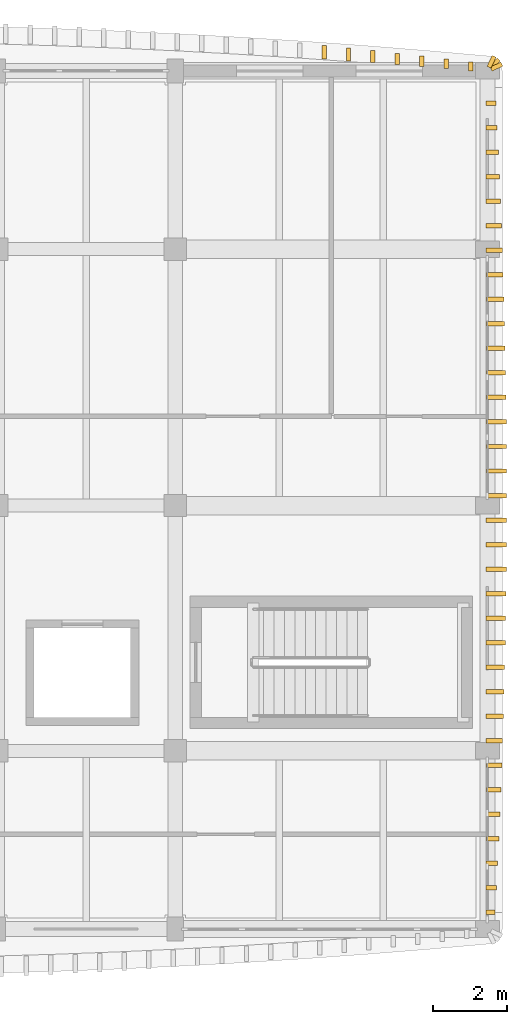
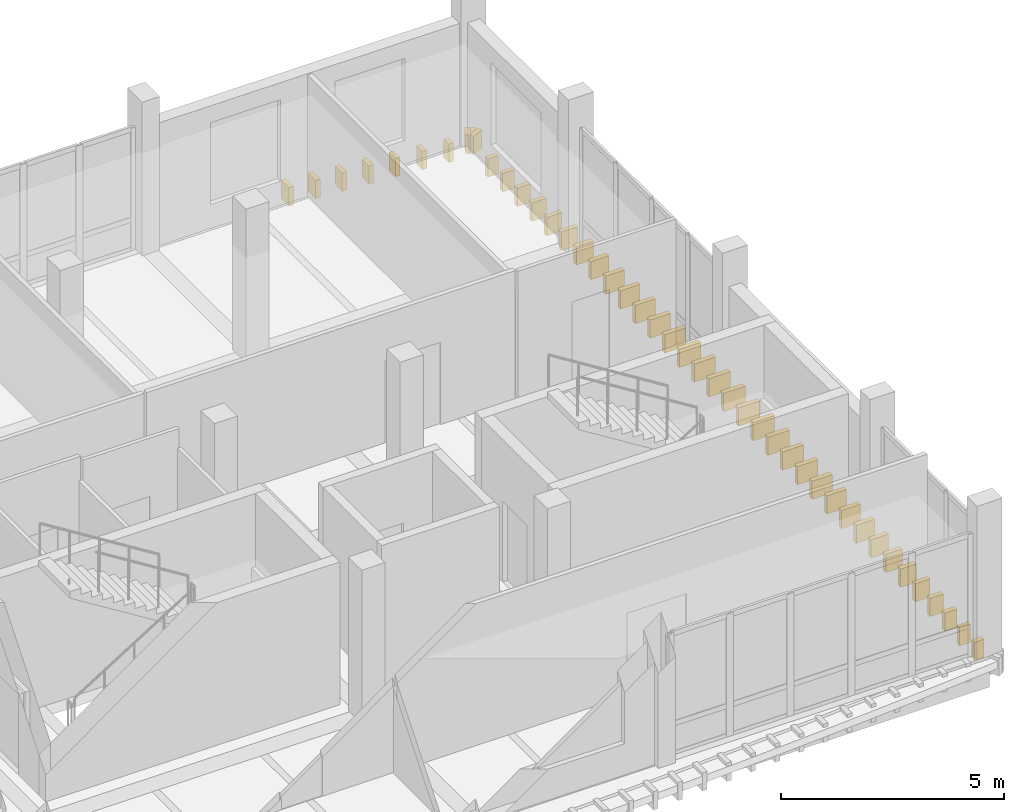
# One storey, part 16 of 16: 44 coverings.
"""IFC4 building model written with IfcOpenShell, lengths in metres."""

from ifc_helpers import new_model, si_unit, direction, frame, origin, origin_2d, place, context, subcontext, project, spatial, rectangle, extrude, material, layer, layer_set, type_object, element, save


model = new_model("IFC4")

# Units and contexts
model_context = context("Model", 3, precision=1e-05, world=origin(), true_north=direction((0.0, 1.0)))
body_context = subcontext(model_context, "Body", "Model", "MODEL_VIEW")
ifc_project = project(units=[si_unit("LENGTHUNIT", "METRE"), si_unit("AREAUNIT", "SQUARE_METRE"), si_unit("VOLUMEUNIT", "CUBIC_METRE"), si_unit("PLANEANGLEUNIT", "RADIAN"), si_unit("MASSUNIT", "GRAM", prefix="KILO")], contexts=[model_context])

# Site, building, storey
site_placement = place(None, origin())
site = spatial("IfcSite", under=ifc_project, at=site_placement, CompositionType="ELEMENT")
building_placement = place(site_placement, origin())
building = spatial("IfcBuilding", under=site, at=building_placement, Name="Dornvale Research Institute", CompositionType="ELEMENT")
storey_placement = place(building_placement, frame((0.0, 0.0, 42.60009765625)))
storey = spatial("IfcBuildingStorey", under=building, at=storey_placement, Name="L09", CompositionType="ELEMENT", Elevation=42.60009765625)

# Coverings
ifc_material = material(Name="Polychrome Glazed Terracotta Visor Rib Ceramic", Category="masonry")
ifc_layer = layer(ifc_material, 0.1201171875)
ifc_layer_set = layer_set([ifc_layer], Name="Polychrome Glazed Terracotta Visor Rib Ceramic")
covering_type = type_object("IfcCoveringType", Name="Covering_VisorBlade_Main", PredefinedType="CLADDING", material=ifc_layer_set)
covering_1_placement = place(storey_placement, frame((40.951904296875, 122.2177734375, -0.489990234375), z_axis=(0.0, 0.0, 1.0), x_axis=(0.0, 1.0, 0.0)))
element("IfcCovering", 1, at=covering_1_placement, inside=storey, type_object=covering_type, Name="L09 V5 canted glazed terracotta visor blade #1590", PredefinedType="CLADDING", context=body_context, shape_type="SweptSolid", body=[
    extrude(rectangle(XDim=0.236083984375, YDim=0.1201171875, at=origin_2d()), origin(), (0.0, 0.0, 1.0), 0.5),
])
covering_2_placement = place(storey_placement, frame((40.294189453125, 122.2880859375, -0.489990234375), z_axis=(0.0, 0.0, 1.0), x_axis=(0.0, 1.0, 0.0)))
element("IfcCovering", 2, at=covering_2_placement, inside=storey, type_object=covering_type, Name="L09 V5 canted glazed terracotta visor blade #1591", PredefinedType="CLADDING", context=body_context, shape_type="SweptSolid", body=[
    extrude(rectangle(XDim=0.260009765625, YDim=0.1201171875, at=origin_2d()), origin(), (0.0, 0.0, 1.0), 0.5),
])
covering_3_placement = place(storey_placement, frame((39.63671875, 122.35693359375, -0.489990234375), z_axis=(0.0, 0.0, 1.0), x_axis=(0.0, 1.0, 0.0)))
element("IfcCovering", 3, at=covering_3_placement, inside=storey, type_object=covering_type, Name="L09 V5 canted glazed terracotta visor blade #1592", PredefinedType="CLADDING", context=body_context, shape_type="SweptSolid", body=[
    extrude(rectangle(XDim=0.282958984375, YDim=0.1201171875, at=origin_2d()), origin(), (0.0, 0.0, 1.0), 0.5),
])
covering_4_placement = place(storey_placement, frame((38.97900390625, 122.42041015625, -0.489990234375), z_axis=(0.0, 0.0, 1.0), x_axis=(0.0, 1.0, 0.0)))
element("IfcCovering", 4, at=covering_4_placement, inside=storey, type_object=covering_type, Name="L09 V5 canted glazed terracotta visor blade #1593", PredefinedType="CLADDING", context=body_context, shape_type="SweptSolid", body=[
    extrude(rectangle(XDim=0.303955078125, YDim=0.1201171875, at=origin_2d()), origin(), (0.0, 0.0, 1.0), 0.5),
])
covering_5_placement = place(storey_placement, frame((38.321044921875, 122.483642578125, -0.489990234375), z_axis=(0.0, 0.0, 1.0), x_axis=(0.0, 1.0, 0.0)))
element("IfcCovering", 5, at=covering_5_placement, inside=storey, type_object=covering_type, Name="L09 V5 canted glazed terracotta visor blade #1594", PredefinedType="CLADDING", context=body_context, shape_type="SweptSolid", body=[
    extrude(rectangle(XDim=0.324951171875, YDim=0.1201171875, at=origin_2d()), origin(), (0.0, 0.0, 1.0), 0.5),
])
covering_6_placement = place(storey_placement, frame((37.662841796875, 122.54296875, -0.489990234375), z_axis=(0.0, 0.0, 1.0), x_axis=(0.0, 1.0, 0.0)))
element("IfcCovering", 6, at=covering_6_placement, inside=storey, type_object=covering_type, Name="L09 V5 canted glazed terracotta visor blade #1595", PredefinedType="CLADDING", context=body_context, shape_type="SweptSolid", body=[
    extrude(rectangle(XDim=0.344970703125, YDim=0.1201171875, at=origin_2d()), origin(), (0.0, 0.0, 1.0), 0.5),
])
covering_7_placement = place(storey_placement, frame((37.004638671875, 122.599609375, -0.489990234375), z_axis=(0.0, 0.0, 1.0), x_axis=(0.0, 1.0, 0.0)))
element("IfcCovering", 7, at=covering_7_placement, inside=storey, type_object=covering_type, Name="L09 V5 canted glazed terracotta visor blade #1596", PredefinedType="CLADDING", context=body_context, shape_type="SweptSolid", body=[
    extrude(rectangle(XDim=0.364013671875, YDim=0.1201171875, at=origin_2d()), origin(), (0.0, 0.0, 1.0), 0.5),
])
covering_8_placement = place(storey_placement, frame((41.48291015625, 99.449951171875, -0.489990234375), z_axis=(0.0, 0.0, 1.0), x_axis=(1.0, 0.0, 0.0)))
element("IfcCovering", 8, at=covering_8_placement, inside=storey, type_object=covering_type, Name="L09 V5 canted glazed terracotta visor blade #1645", PredefinedType="CLADDING", context=body_context, shape_type="SweptSolid", body=[
    extrude(rectangle(XDim=0.24609375, YDim=0.1201171875, at=origin_2d()), origin(), (0.0, 0.0, 1.0), 0.5),
])
covering_9_placement = place(storey_placement, frame((41.5009765625, 100.110107421875, -0.489990234375), z_axis=(0.0, 0.0, 1.0), x_axis=(1.0, 0.0, 0.0)))
element("IfcCovering", 9, at=covering_9_placement, inside=storey, type_object=covering_type, Name="L09 V5 canted glazed terracotta visor blade #1646", PredefinedType="CLADDING", context=body_context, shape_type="SweptSolid", body=[
    extrude(rectangle(XDim=0.281982421875, YDim=0.1201171875, at=origin_2d()), origin(), (0.0, 0.0, 1.0), 0.5),
])
covering_10_placement = place(storey_placement, frame((41.51806640625, 100.77001953125, -0.489990234375), z_axis=(0.0, 0.0, 1.0), x_axis=(1.0, 0.0, 0.0)))
element("IfcCovering", 10, at=covering_10_placement, inside=storey, type_object=covering_type, Name="L09 V5 canted glazed terracotta visor blade #1647", PredefinedType="CLADDING", context=body_context, shape_type="SweptSolid", body=[
    extrude(rectangle(XDim=0.31591796875, YDim=0.1201171875, at=origin_2d()), origin(), (0.0, 0.0, 1.0), 0.5),
])
covering_11_placement = place(storey_placement, frame((41.533935546875, 101.429931640625, -0.489990234375), z_axis=(0.0, 0.0, 1.0), x_axis=(1.0, 0.0, 0.0)))
element("IfcCovering", 11, at=covering_11_placement, inside=storey, type_object=covering_type, Name="L09 V5 canted glazed terracotta visor blade #1648", PredefinedType="CLADDING", context=body_context, shape_type="SweptSolid", body=[
    extrude(rectangle(XDim=0.347900390625, YDim=0.1201171875, at=origin_2d()), origin(), (0.0, 0.0, 1.0), 0.5),
])
covering_12_placement = place(storey_placement, frame((41.549072265625, 102.090087890625, -0.489990234375), z_axis=(0.0, 0.0, 1.0), x_axis=(1.0, 0.0, 0.0)))
element("IfcCovering", 12, at=covering_12_placement, inside=storey, type_object=covering_type, Name="L09 V5 canted glazed terracotta visor blade #1649", PredefinedType="CLADDING", context=body_context, shape_type="SweptSolid", body=[
    extrude(rectangle(XDim=0.3779296875, YDim=0.1201171875, at=origin_2d()), origin(), (0.0, 0.0, 1.0), 0.5),
])
covering_13_placement = place(storey_placement, frame((41.5625, 102.75, -0.489990234375), z_axis=(0.0, 0.0, 1.0), x_axis=(1.0, 0.0, 0.0)))
element("IfcCovering", 13, at=covering_13_placement, inside=storey, type_object=covering_type, Name="L09 V5 canted glazed terracotta visor blade #1650", PredefinedType="CLADDING", context=body_context, shape_type="SweptSolid", body=[
    extrude(rectangle(XDim=0.405029296875, YDim=0.1201171875, at=origin_2d()), origin(), (0.0, 0.0, 1.0), 0.5),
])
covering_14_placement = place(storey_placement, frame((41.574951171875, 103.409912109375, -0.489990234375), z_axis=(0.0, 0.0, 1.0), x_axis=(1.0, 0.0, 0.0)))
element("IfcCovering", 14, at=covering_14_placement, inside=storey, type_object=covering_type, Name="L09 V5 canted glazed terracotta visor blade #1651", PredefinedType="CLADDING", context=body_context, shape_type="SweptSolid", body=[
    extrude(rectangle(XDim=0.429931640625, YDim=0.1201171875, at=origin_2d()), origin(), (0.0, 0.0, 1.0), 0.5),
])
covering_15_placement = place(storey_placement, frame((41.58642578125, 104.070068359375, -0.489990234375), z_axis=(0.0, 0.0, 1.0), x_axis=(1.0, 0.0, 0.0)))
element("IfcCovering", 15, at=covering_15_placement, inside=storey, type_object=covering_type, Name="L09 V5 canted glazed terracotta visor blade #1652", PredefinedType="CLADDING", context=body_context, shape_type="SweptSolid", body=[
    extrude(rectangle(XDim=0.452880859375, YDim=0.1201171875, at=origin_2d()), origin(), (0.0, 0.0, 1.0), 0.5),
])
covering_16_placement = place(storey_placement, frame((41.596923828125, 104.72998046875, -0.489990234375), z_axis=(0.0, 0.0, 1.0), x_axis=(1.0, 0.0, 0.0)))
element("IfcCovering", 16, at=covering_16_placement, inside=storey, type_object=covering_type, Name="L09 V5 canted glazed terracotta visor blade #1653", PredefinedType="CLADDING", context=body_context, shape_type="SweptSolid", body=[
    extrude(rectangle(XDim=0.47412109375, YDim=0.1201171875, at=origin_2d()), origin(), (0.0, 0.0, 1.0), 0.5),
])
covering_17_placement = place(storey_placement, frame((41.60595703125, 105.389892578125, -0.489990234375), z_axis=(0.0, 0.0, 1.0), x_axis=(1.0, 0.0, 0.0)))
element("IfcCovering", 17, at=covering_17_placement, inside=storey, type_object=covering_type, Name="L09 V5 canted glazed terracotta visor blade #1654", PredefinedType="CLADDING", context=body_context, shape_type="SweptSolid", body=[
    extrude(rectangle(XDim=0.491943359375, YDim=0.1201171875, at=origin_2d()), origin(), (0.0, 0.0, 1.0), 0.5),
])
covering_18_placement = place(storey_placement, frame((41.614013671875, 106.050048828125, -0.489990234375), z_axis=(0.0, 0.0, 1.0), x_axis=(1.0, 0.0, 0.0)))
element("IfcCovering", 18, at=covering_18_placement, inside=storey, type_object=covering_type, Name="L09 V5 canted glazed terracotta visor blade #1655", PredefinedType="CLADDING", context=body_context, shape_type="SweptSolid", body=[
    extrude(rectangle(XDim=0.508056640625, YDim=0.1201171875, at=origin_2d()), origin(), (0.0, 0.0, 1.0), 0.5),
])
covering_19_placement = place(storey_placement, frame((41.62109375, 106.7099609375, -0.489990234375), z_axis=(0.0, 0.0, 1.0), x_axis=(1.0, 0.0, 0.0)))
element("IfcCovering", 19, at=covering_19_placement, inside=storey, type_object=covering_type, Name="L09 V5 canted glazed terracotta visor blade #1656", PredefinedType="CLADDING", context=body_context, shape_type="SweptSolid", body=[
    extrude(rectangle(XDim=0.52197265625, YDim=0.1201171875, at=origin_2d()), origin(), (0.0, 0.0, 1.0), 0.5),
])
covering_20_placement = place(storey_placement, frame((41.626953125, 107.3701171875, -0.489990234375), z_axis=(0.0, 0.0, 1.0), x_axis=(1.0, 0.0, 0.0)))
element("IfcCovering", 20, at=covering_20_placement, inside=storey, type_object=covering_type, Name="L09 V5 canted glazed terracotta visor blade #1657", PredefinedType="CLADDING", context=body_context, shape_type="SweptSolid", body=[
    extrude(rectangle(XDim=0.533935546875, YDim=0.1201171875, at=origin_2d()), origin(), (0.0, 0.0, 1.0), 0.5),
])
covering_21_placement = place(storey_placement, frame((41.632080078125, 108.030029296875, -0.489990234375), z_axis=(0.0, 0.0, 1.0), x_axis=(1.0, 0.0, 0.0)))
element("IfcCovering", 21, at=covering_21_placement, inside=storey, type_object=covering_type, Name="L09 V5 canted glazed terracotta visor blade #1658", PredefinedType="CLADDING", context=body_context, shape_type="SweptSolid", body=[
    extrude(rectangle(XDim=0.5439453125, YDim=0.1201171875, at=origin_2d()), origin(), (0.0, 0.0, 1.0), 0.5),
])
covering_22_placement = place(storey_placement, frame((41.635498046875, 108.68994140625, -0.489990234375), z_axis=(0.0, 0.0, 1.0), x_axis=(1.0, 0.0, 0.0)))
element("IfcCovering", 22, at=covering_22_placement, inside=storey, type_object=covering_type, Name="L09 V5 canted glazed terracotta visor blade #1659", PredefinedType="CLADDING", context=body_context, shape_type="SweptSolid", body=[
    extrude(rectangle(XDim=0.551025390625, YDim=0.1201171875, at=origin_2d()), origin(), (0.0, 0.0, 1.0), 0.5),
])
covering_23_placement = place(storey_placement, frame((41.637939453125, 109.35009765625, -0.489990234375), z_axis=(0.0, 0.0, 1.0), x_axis=(1.0, 0.0, 0.0)))
element("IfcCovering", 23, at=covering_23_placement, inside=storey, type_object=covering_type, Name="L09 V5 canted glazed terracotta visor blade #1660", PredefinedType="CLADDING", context=body_context, shape_type="SweptSolid", body=[
    extrude(rectangle(XDim=0.555908203125, YDim=0.1201171875, at=origin_2d()), origin(), (0.0, 0.0, 1.0), 0.5),
])
covering_24_placement = place(storey_placement, frame((41.639404296875, 110.010009765625, -0.489990234375), z_axis=(0.0, 0.0, 1.0), x_axis=(1.0, 0.0, 0.0)))
element("IfcCovering", 24, at=covering_24_placement, inside=storey, type_object=covering_type, Name="L09 V5 canted glazed terracotta visor blade #1661", PredefinedType="CLADDING", context=body_context, shape_type="SweptSolid", body=[
    extrude(rectangle(XDim=0.55908203125, YDim=0.1201171875, at=origin_2d()), origin(), (0.0, 0.0, 1.0), 0.5),
])
covering_25_placement = place(storey_placement, frame((41.639892578125, 110.669921875, -0.489990234375), z_axis=(0.0, 0.0, 1.0), x_axis=(1.0, 0.0, 0.0)))
element("IfcCovering", 25, at=covering_25_placement, inside=storey, type_object=covering_type, Name="L09 V5 canted glazed terracotta visor blade #1662", PredefinedType="CLADDING", context=body_context, shape_type="SweptSolid", body=[
    extrude(rectangle(XDim=0.56005859375, YDim=0.1201171875, at=origin_2d()), origin(), (0.0, 0.0, 1.0), 0.5),
])
covering_26_placement = place(storey_placement, frame((41.638916015625, 111.330078125, -0.489990234375), z_axis=(0.0, 0.0, 1.0), x_axis=(1.0, 0.0, 0.0)))
element("IfcCovering", 26, at=covering_26_placement, inside=storey, type_object=covering_type, Name="L09 V5 canted glazed terracotta visor blade #1663", PredefinedType="CLADDING", context=body_context, shape_type="SweptSolid", body=[
    extrude(rectangle(XDim=0.55810546875, YDim=0.1201171875, at=origin_2d()), origin(), (0.0, 0.0, 1.0), 0.5),
])
covering_27_placement = place(storey_placement, frame((41.637451171875, 111.989990234375, -0.489990234375), z_axis=(0.0, 0.0, 1.0), x_axis=(1.0, 0.0, 0.0)))
element("IfcCovering", 27, at=covering_27_placement, inside=storey, type_object=covering_type, Name="L09 V5 canted glazed terracotta visor blade #1664", PredefinedType="CLADDING", context=body_context, shape_type="SweptSolid", body=[
    extrude(rectangle(XDim=0.554931640625, YDim=0.1201171875, at=origin_2d()), origin(), (0.0, 0.0, 1.0), 0.5),
])
covering_28_placement = place(storey_placement, frame((41.634521484375, 112.64990234375, -0.489990234375), z_axis=(0.0, 0.0, 1.0), x_axis=(1.0, 0.0, 0.0)))
element("IfcCovering", 28, at=covering_28_placement, inside=storey, type_object=covering_type, Name="L09 V5 canted glazed terracotta visor blade #1665", PredefinedType="CLADDING", context=body_context, shape_type="SweptSolid", body=[
    extrude(rectangle(XDim=0.549072265625, YDim=0.1201171875, at=origin_2d()), origin(), (0.0, 0.0, 1.0), 0.5),
])
covering_29_placement = place(storey_placement, frame((41.630615234375, 113.31005859375, -0.489990234375), z_axis=(0.0, 0.0, 1.0), x_axis=(1.0, 0.0, 0.0)))
element("IfcCovering", 29, at=covering_29_placement, inside=storey, type_object=covering_type, Name="L09 V5 canted glazed terracotta visor blade #1666", PredefinedType="CLADDING", context=body_context, shape_type="SweptSolid", body=[
    extrude(rectangle(XDim=0.541015625, YDim=0.1201171875, at=origin_2d()), origin(), (0.0, 0.0, 1.0), 0.5),
])
covering_30_placement = place(storey_placement, frame((41.625, 113.969970703125, -0.489990234375), z_axis=(0.0, 0.0, 1.0), x_axis=(1.0, 0.0, 0.0)))
element("IfcCovering", 30, at=covering_30_placement, inside=storey, type_object=covering_type, Name="L09 V5 canted glazed terracotta visor blade #1667", PredefinedType="CLADDING", context=body_context, shape_type="SweptSolid", body=[
    extrude(rectangle(XDim=0.530029296875, YDim=0.1201171875, at=origin_2d()), origin(), (0.0, 0.0, 1.0), 0.5),
])
covering_31_placement = place(storey_placement, frame((41.618896484375, 114.6298828125, -0.489990234375), z_axis=(0.0, 0.0, 1.0), x_axis=(1.0, 0.0, 0.0)))
element("IfcCovering", 31, at=covering_31_placement, inside=storey, type_object=covering_type, Name="L09 V5 canted glazed terracotta visor blade #1668", PredefinedType="CLADDING", context=body_context, shape_type="SweptSolid", body=[
    extrude(rectangle(XDim=0.51806640625, YDim=0.1201171875, at=origin_2d()), origin(), (0.0, 0.0, 1.0), 0.5),
])
covering_32_placement = place(storey_placement, frame((41.611572265625, 115.2900390625, -0.489990234375), z_axis=(0.0, 0.0, 1.0), x_axis=(1.0, 0.0, 0.0)))
element("IfcCovering", 32, at=covering_32_placement, inside=storey, type_object=covering_type, Name="L09 V5 canted glazed terracotta visor blade #1669", PredefinedType="CLADDING", context=body_context, shape_type="SweptSolid", body=[
    extrude(rectangle(XDim=0.5029296875, YDim=0.1201171875, at=origin_2d()), origin(), (0.0, 0.0, 1.0), 0.5),
])
covering_33_placement = place(storey_placement, frame((41.60302734375, 115.949951171875, -0.489990234375), z_axis=(0.0, 0.0, 1.0), x_axis=(1.0, 0.0, 0.0)))
element("IfcCovering", 33, at=covering_33_placement, inside=storey, type_object=covering_type, Name="L09 V5 canted glazed terracotta visor blade #1670", PredefinedType="CLADDING", context=body_context, shape_type="SweptSolid", body=[
    extrude(rectangle(XDim=0.486083984375, YDim=0.1201171875, at=origin_2d()), origin(), (0.0, 0.0, 1.0), 0.5),
])
covering_34_placement = place(storey_placement, frame((41.593017578125, 116.610107421875, -0.489990234375), z_axis=(0.0, 0.0, 1.0), x_axis=(1.0, 0.0, 0.0)))
element("IfcCovering", 34, at=covering_34_placement, inside=storey, type_object=covering_type, Name="L09 V5 canted glazed terracotta visor blade #1671", PredefinedType="CLADDING", context=body_context, shape_type="SweptSolid", body=[
    extrude(rectangle(XDim=0.466064453125, YDim=0.1201171875, at=origin_2d()), origin(), (0.0, 0.0, 1.0), 0.5),
])
covering_35_placement = place(storey_placement, frame((41.58251953125, 117.27001953125, -0.489990234375), z_axis=(0.0, 0.0, 1.0), x_axis=(1.0, 0.0, 0.0)))
element("IfcCovering", 35, at=covering_35_placement, inside=storey, type_object=covering_type, Name="L09 V5 canted glazed terracotta visor blade #1672", PredefinedType="CLADDING", context=body_context, shape_type="SweptSolid", body=[
    extrude(rectangle(XDim=0.445068359375, YDim=0.1201171875, at=origin_2d()), origin(), (0.0, 0.0, 1.0), 0.5),
])
covering_36_placement = place(storey_placement, frame((41.570556640625, 117.929931640625, -0.489990234375), z_axis=(0.0, 0.0, 1.0), x_axis=(1.0, 0.0, 0.0)))
element("IfcCovering", 36, at=covering_36_placement, inside=storey, type_object=covering_type, Name="L09 V5 canted glazed terracotta visor blade #1673", PredefinedType="CLADDING", context=body_context, shape_type="SweptSolid", body=[
    extrude(rectangle(XDim=0.4208984375, YDim=0.1201171875, at=origin_2d()), origin(), (0.0, 0.0, 1.0), 0.5),
])
covering_37_placement = place(storey_placement, frame((41.5576171875, 118.590087890625, -0.489990234375), z_axis=(0.0, 0.0, 1.0), x_axis=(1.0, 0.0, 0.0)))
element("IfcCovering", 37, at=covering_37_placement, inside=storey, type_object=covering_type, Name="L09 V5 canted glazed terracotta visor blade #1674", PredefinedType="CLADDING", context=body_context, shape_type="SweptSolid", body=[
    extrude(rectangle(XDim=0.39501953125, YDim=0.1201171875, at=origin_2d()), origin(), (0.0, 0.0, 1.0), 0.5),
])
covering_38_placement = place(storey_placement, frame((41.54345703125, 119.25, -0.489990234375), z_axis=(0.0, 0.0, 1.0), x_axis=(1.0, 0.0, 0.0)))
element("IfcCovering", 38, at=covering_38_placement, inside=storey, type_object=covering_type, Name="L09 V5 canted glazed terracotta visor blade #1675", PredefinedType="CLADDING", context=body_context, shape_type="SweptSolid", body=[
    extrude(rectangle(XDim=0.366943359375, YDim=0.1201171875, at=origin_2d()), origin(), (0.0, 0.0, 1.0), 0.5),
])
covering_39_placement = place(storey_placement, frame((41.528564453125, 119.909912109375, -0.489990234375), z_axis=(0.0, 0.0, 1.0), x_axis=(1.0, 0.0, 0.0)))
element("IfcCovering", 39, at=covering_39_placement, inside=storey, type_object=covering_type, Name="L09 V5 canted glazed terracotta visor blade #1676", PredefinedType="CLADDING", context=body_context, shape_type="SweptSolid", body=[
    extrude(rectangle(XDim=0.3369140625, YDim=0.1201171875, at=origin_2d()), origin(), (0.0, 0.0, 1.0), 0.5),
])
covering_40_placement = place(storey_placement, frame((41.511962890625, 120.570068359375, -0.489990234375), z_axis=(0.0, 0.0, 1.0), x_axis=(1.0, 0.0, 0.0)))
element("IfcCovering", 40, at=covering_40_placement, inside=storey, type_object=covering_type, Name="L09 V5 canted glazed terracotta visor blade #1677", PredefinedType="CLADDING", context=body_context, shape_type="SweptSolid", body=[
    extrude(rectangle(XDim=0.303955078125, YDim=0.1201171875, at=origin_2d()), origin(), (0.0, 0.0, 1.0), 0.5),
])
covering_41_placement = place(storey_placement, frame((41.494384765625, 121.22998046875, -0.489990234375), z_axis=(0.0, 0.0, 1.0), x_axis=(1.0, 0.0, 0.0)))
element("IfcCovering", 41, at=covering_41_placement, inside=storey, type_object=covering_type, Name="L09 V5 canted glazed terracotta visor blade #1678", PredefinedType="CLADDING", context=body_context, shape_type="SweptSolid", body=[
    extrude(rectangle(XDim=0.26904296875, YDim=0.1201171875, at=origin_2d()), origin(), (0.0, 0.0, 1.0), 0.5),
])
for number, where, z_axis, x_axis, name in (
    (42, (41.644775390625, 122.214111328125, -0.489990234375), (0.0, 0.0, 1.0), (0.906307787037, 0.422618261741, 0.0), "L09 V5 corner-wrapping visor blade #1719"),
    (43, (41.5908203125, 122.291015625, -0.489990234375), (0.0, 0.0, 1.0), (0.707106781187, 0.707106781187, 0.0), "L09 V5 corner-wrapping visor blade #1720"),
    (44, (41.51416015625, 122.3447265625, -0.489990234375), (0.0, 0.0, 1.0), (0.422618261741, 0.906307787037, 0.0), "L09 V5 corner-wrapping visor blade #1721"),
):
    element("IfcCovering", number, at=place(storey_placement, frame(where, z_axis=z_axis, x_axis=x_axis)), inside=storey, type_object=covering_type, Name=name, PredefinedType="CLADDING", context=body_context, shape_type="SweptSolid", body=[
        extrude(rectangle(XDim=0.320068359375, YDim=0.1201171875, at=origin_2d()), origin(), (0.0, 0.0, 1.0), 0.5),
    ])

save(model, "model.ifc")
